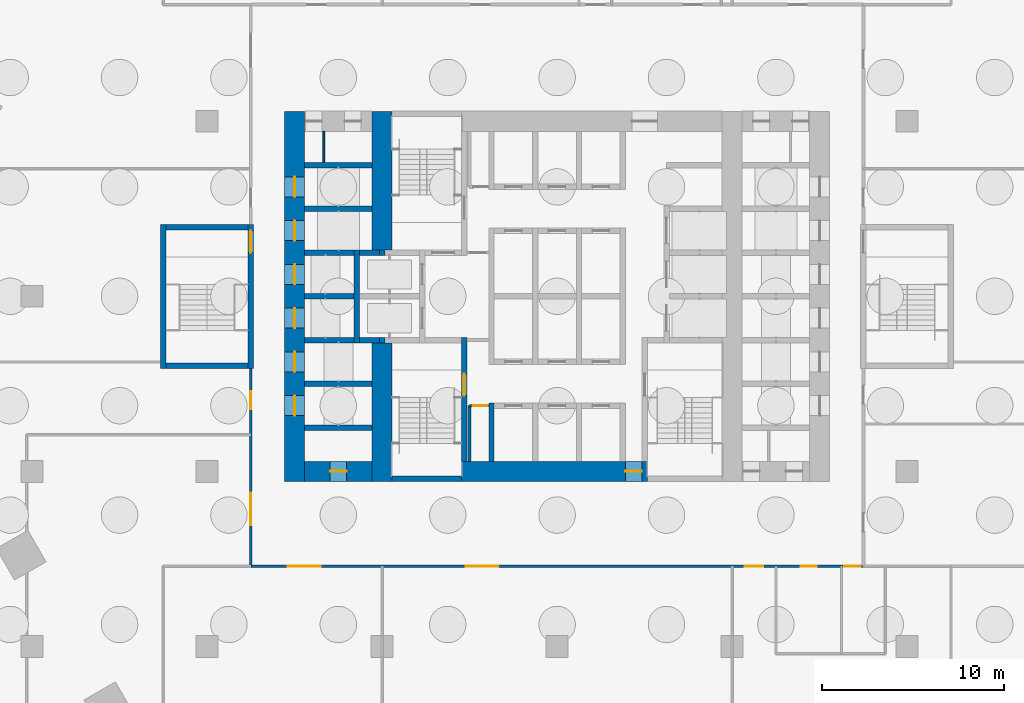
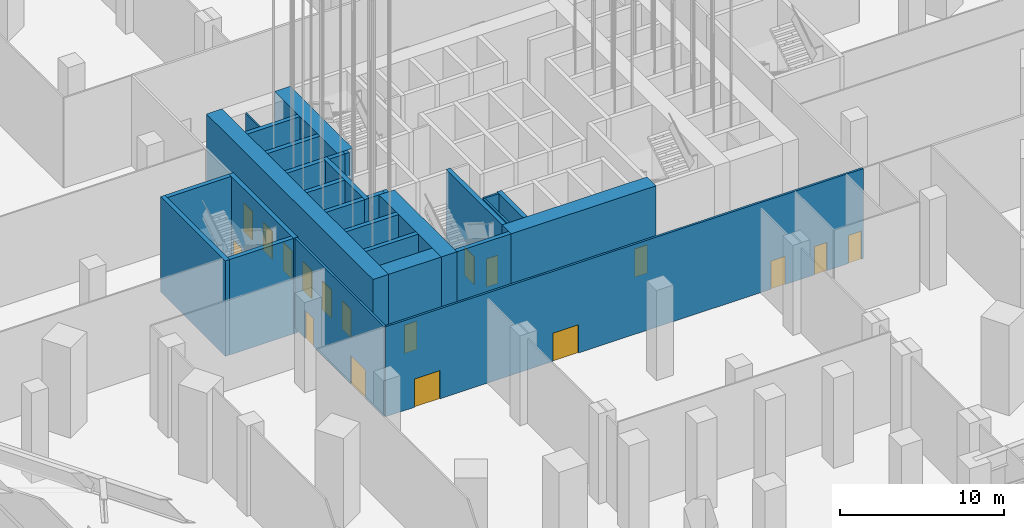
# One storey, part 14 of 68: 29 walls, 18 doors, 18 openings.
"""IFC4 building model written with IfcOpenShell, lengths in metres."""

from ifc_helpers import new_model, si_unit, direction, frame, frame_2d, origin, place, context, subcontext, project, spatial, rectangle, extrude, material, layer, layer_set, type_object, element, fill, save


model = new_model("IFC4")

# Units and contexts
model_context = context("Model", 3, precision=1e-05, world=origin(), true_north=direction((0.0, 1.0)))
body_context = subcontext(model_context, "Body", "Model", "MODEL_VIEW")
ifc_project = project(units=[si_unit("LENGTHUNIT", "METRE"), si_unit("AREAUNIT", "SQUARE_METRE"), si_unit("VOLUMEUNIT", "CUBIC_METRE"), si_unit("PLANEANGLEUNIT", "RADIAN"), si_unit("MASSUNIT", "GRAM", prefix="KILO")], contexts=[model_context])

# Site, building, storey
site_placement = place(None, origin())
site = spatial("IfcSite", under=ifc_project, at=site_placement, CompositionType="ELEMENT")
building_placement = place(site_placement, origin())
building = spatial("IfcBuilding", under=site, at=building_placement, Name="Kolab Exchange Tower", CompositionType="ELEMENT")
storey_placement = place(building_placement, origin())
storey = spatial("IfcBuildingStorey", under=building, at=storey_placement, Name="L00", CompositionType="ELEMENT", Elevation=0.0)

# Wall, opening, door
ifc_material_1 = material(Name="Concrete C80/95", Category="concrete")
ifc_layer_1 = layer(ifc_material_1, 1.10009765625)
ifc_layer_set_1 = layer_set([ifc_layer_1], Name="Concrete C80/95")
wall_type_1 = type_object("IfcWallType", Name="CORE WALL 1100 C80/95", PredefinedType="SHEAR", material=ifc_layer_set_1)
wall_1_placement = place(storey_placement, frame((-13.85009765625, -9.60009765625, -0.39990234375), z_axis=(0.0, 0.0, 1.0), x_axis=(1.0, 0.0, 0.0)))
wall_1 = element("IfcWall", 1, at=wall_1_placement, inside=storey, type_object=wall_type_1, Name="wall/L00/core/002", PredefinedType="SHEAR", context=body_context, shape_type="SweptSolid", body=[
    extrude(rectangle(XDim=3.7001953125, YDim=1.10009765625, at=frame_2d((1.85009765625, 0.0))), origin(), (0.0, 0.0, 1.0), 7.099853515625),
])
opening_1_placement = place(wall_1_placement, frame((1.39990234375, 0.0, 0.39990234375)))
opening_1 = element("IfcOpeningElement", 2, at=opening_1_placement, cuts=wall_1, Name="Opening D6-019", PredefinedType="OPENING", context=body_context, shape_type="SweptSolid", body=[
    extrude(rectangle(XDim=0.89990234375, YDim=2.10009765625, at=frame_2d((0.449951171875, 1.050048828125))), frame((0.0, 0.56005859375, 0.0), z_axis=(0.0, -1.0, 0.0), x_axis=(1.0, 0.0, 0.0)), (0.0, 0.0, 1.0), 1.1201171875),
])
ifc_material_2 = material(Name="Steel S235", Category="steel")
door_type_1 = type_object("IfcDoorType", Name="CORE DOOR 900 EI 120", OperationType="SINGLE_SWING_LEFT", PredefinedType="DOOR", material=ifc_material_2)
door_1_placement = place(opening_1_placement, origin())
door_1 = element("IfcDoor", 3, at=door_1_placement, inside=storey, type_object=door_type_1, Name="Service room door", OperationType="SINGLE_SWING_LEFT", OverallHeight=2.10009765625, OverallWidth=0.89990234375, PredefinedType="DOOR", context=body_context, shape_type="SweptSolid", body=[
    extrude(rectangle(XDim=0.89990234375, YDim=2.10009765625, at=frame_2d((0.449951171875, 1.050048828125))), frame((0.0, 0.02490234375, 0.0), z_axis=(0.0, -1.0, 0.0), x_axis=(1.0, 0.0, 0.0)), (0.0, 0.0, 1.0), 0.050048828125),
])
fill(opening_1, door_1)

wall_2_placement = place(storey_placement, frame((-5.25, -9.60009765625, -0.39990234375), z_axis=(0.0, 0.0, 1.0), x_axis=(1.0, 0.0, 0.0)))
wall_2 = element("IfcWall", 4, at=wall_2_placement, inside=storey, type_object=wall_type_1, Name="wall/L00/core/003", PredefinedType="SHEAR", context=body_context, shape_type="SweptSolid", body=[
    extrude(rectangle(XDim=10.199951171875, YDim=1.10009765625, at=frame_2d((5.10009765625, 0.0))), origin(), (0.0, 0.0, 1.0), 7.099853515625),
])
opening_2_placement = place(wall_2_placement, frame((9.0, 0.0, 0.39990234375)))
opening_2 = element("IfcOpeningElement", 5, at=opening_2_placement, cuts=wall_2, Name="Opening D6-013", PredefinedType="OPENING", context=body_context, shape_type="SweptSolid", body=[
    extrude(rectangle(XDim=0.89990234375, YDim=2.10009765625, at=frame_2d((0.449951171875, 1.050048828125))), frame((0.0, 0.56005859375, 0.0), z_axis=(0.0, -1.0, 0.0), x_axis=(1.0, 0.0, 0.0)), (0.0, 0.0, 1.0), 1.1201171875),
])
door_2_placement = place(opening_2_placement, origin())
door_2 = element("IfcDoor", 6, at=door_2_placement, inside=storey, type_object=door_type_1, Name="Core lobby door", OperationType="SINGLE_SWING_LEFT", OverallHeight=2.10009765625, OverallWidth=0.89990234375, PredefinedType="DOOR", context=body_context, shape_type="SweptSolid", body=[
    extrude(rectangle(XDim=0.89990234375, YDim=2.10009765625, at=frame_2d((0.449951171875, 1.050048828125))), frame((0.0, 0.02490234375, 0.0), z_axis=(0.0, -1.0, 0.0), x_axis=(1.0, 0.0, 0.0)), (0.0, 0.0, 1.0), 0.050048828125),
])
fill(opening_2, door_2)

# Wall, openings, doors
wall_3_placement = place(storey_placement, frame((-14.39990234375, -10.14990234375, -0.39990234375), z_axis=(0.0, 0.0, 1.0), x_axis=(0.0, 1.0, 0.0)))
wall_3 = element("IfcWall", 7, at=wall_3_placement, inside=storey, type_object=wall_type_1, Name="wall/L00/core/057", PredefinedType="SHEAR", context=body_context, shape_type="SweptSolid", body=[
    extrude(rectangle(XDim=20.2998046875, YDim=1.10009765625, at=frame_2d((10.14990234375, 0.0))), origin(), (0.0, 0.0, 1.0), 7.099853515625),
])
opening_3_placement = place(wall_3_placement, frame((3.60009765625, 0.0, 0.39990234375)))
opening_3 = element("IfcOpeningElement", 8, at=opening_3_placement, cuts=wall_3, Name="Opening LD1-005", PredefinedType="OPENING", context=body_context, shape_type="SweptSolid", body=[
    extrude(rectangle(XDim=1.10009765625, YDim=2.10009765625, at=frame_2d((0.550048828125, 1.050048828125))), frame((0.0, 0.56005859375, 0.0), z_axis=(0.0, -1.0, 0.0), x_axis=(1.0, 0.0, 0.0)), (0.0, 0.0, 1.0), 1.1201171875),
])
opening_4_placement = place(wall_3_placement, frame((6.0, 0.0, 0.39990234375)))
opening_4 = element("IfcOpeningElement", 9, at=opening_4_placement, cuts=wall_3, Name="Opening LD1-006", PredefinedType="OPENING", context=body_context, shape_type="SweptSolid", body=[
    extrude(rectangle(XDim=1.10009765625, YDim=2.10009765625, at=frame_2d((0.550048828125, 1.050048828125))), frame((0.0, 0.56005859375, 0.0), z_axis=(0.0, -1.0, 0.0), x_axis=(1.0, 0.0, 0.0)), (0.0, 0.0, 1.0), 1.1201171875),
])
opening_5_placement = place(wall_3_placement, frame((8.39990234375, 0.0, 0.39990234375)))
opening_5 = element("IfcOpeningElement", 10, at=opening_5_placement, cuts=wall_3, Name="Opening LD1-007", PredefinedType="OPENING", context=body_context, shape_type="SweptSolid", body=[
    extrude(rectangle(XDim=1.10009765625, YDim=2.10009765625, at=frame_2d((0.550048828125, 1.050048828125))), frame((0.0, 0.56005859375, 0.0), z_axis=(0.0, -1.0, 0.0), x_axis=(1.0, 0.0, 0.0)), (0.0, 0.0, 1.0), 1.1201171875),
])
opening_6_placement = place(wall_3_placement, frame((10.800048828125, 0.0, 0.39990234375)))
opening_6 = element("IfcOpeningElement", 11, at=opening_6_placement, cuts=wall_3, Name="Opening LD1-008", PredefinedType="OPENING", context=body_context, shape_type="SweptSolid", body=[
    extrude(rectangle(XDim=1.10009765625, YDim=2.10009765625, at=frame_2d((0.550048828125, 1.050048828125))), frame((0.0, 0.56005859375, 0.0), z_axis=(0.0, -1.0, 0.0), x_axis=(1.0, 0.0, 0.0)), (0.0, 0.0, 1.0), 1.1201171875),
])
opening_7_placement = place(wall_3_placement, frame((13.199951171875, 0.0, 0.39990234375)))
opening_7 = element("IfcOpeningElement", 12, at=opening_7_placement, cuts=wall_3, Name="Opening LD1-011", PredefinedType="OPENING", context=body_context, shape_type="SweptSolid", body=[
    extrude(rectangle(XDim=1.10009765625, YDim=2.10009765625, at=frame_2d((0.550048828125, 1.050048828125))), frame((0.0, 0.56005859375, 0.0), z_axis=(0.0, -1.0, 0.0), x_axis=(1.0, 0.0, 0.0)), (0.0, 0.0, 1.0), 1.1201171875),
])
opening_8_placement = place(wall_3_placement, frame((15.60009765625, 0.0, 0.39990234375)))
opening_8 = element("IfcOpeningElement", 13, at=opening_8_placement, cuts=wall_3, Name="Opening LD1-012", PredefinedType="OPENING", context=body_context, shape_type="SweptSolid", body=[
    extrude(rectangle(XDim=1.10009765625, YDim=2.10009765625, at=frame_2d((0.550048828125, 1.050048828125))), frame((0.0, 0.56005859375, 0.0), z_axis=(0.0, -1.0, 0.0), x_axis=(1.0, 0.0, 0.0)), (0.0, 0.0, 1.0), 1.1201171875),
])
ifc_material_3 = material(Name="Stainless steel 316", Category="steel")
door_type_2 = type_object("IfcDoorType", Name="LANDING DOOR 1100 PASSENGER", OperationType="DOUBLE_DOOR_SLIDING", PredefinedType="DOOR", material=ifc_material_3)
door_3_placement = place(opening_3_placement, origin())
door_3 = element("IfcDoor", 14, at=door_3_placement, inside=storey, type_object=door_type_2, Name="Landing door LR5", OperationType="DOUBLE_DOOR_SLIDING", OverallHeight=2.10009765625, OverallWidth=1.10009765625, PredefinedType="DOOR", context=body_context, shape_type="SweptSolid", body=[
    extrude(rectangle(XDim=1.10009765625, YDim=2.10009765625, at=frame_2d((0.550048828125, 1.050048828125))), frame((0.0, 0.02490234375, 0.0), z_axis=(0.0, -1.0, 0.0), x_axis=(1.0, 0.0, 0.0)), (0.0, 0.0, 1.0), 0.050048828125),
])
fill(opening_3, door_3)
door_4_placement = place(opening_4_placement, origin())
door_4 = element("IfcDoor", 15, at=door_4_placement, inside=storey, type_object=door_type_2, Name="Landing door LR6", OperationType="DOUBLE_DOOR_SLIDING", OverallHeight=2.10009765625, OverallWidth=1.10009765625, PredefinedType="DOOR", context=body_context, shape_type="SweptSolid", body=[
    extrude(rectangle(XDim=1.10009765625, YDim=2.10009765625, at=frame_2d((0.550048828125, 1.050048828125))), frame((0.0, 0.02490234375, 0.0), z_axis=(0.0, -1.0, 0.0), x_axis=(1.0, 0.0, 0.0)), (0.0, 0.0, 1.0), 0.050048828125),
])
fill(opening_4, door_4)
door_5_placement = place(opening_5_placement, origin())
door_5 = element("IfcDoor", 16, at=door_5_placement, inside=storey, type_object=door_type_2, Name="Landing door LR7", OperationType="DOUBLE_DOOR_SLIDING", OverallHeight=2.10009765625, OverallWidth=1.10009765625, PredefinedType="DOOR", context=body_context, shape_type="SweptSolid", body=[
    extrude(rectangle(XDim=1.10009765625, YDim=2.10009765625, at=frame_2d((0.550048828125, 1.050048828125))), frame((0.0, 0.02490234375, 0.0), z_axis=(0.0, -1.0, 0.0), x_axis=(1.0, 0.0, 0.0)), (0.0, 0.0, 1.0), 0.050048828125),
])
fill(opening_5, door_5)
door_6_placement = place(opening_6_placement, origin())
door_6 = element("IfcDoor", 17, at=door_6_placement, inside=storey, type_object=door_type_2, Name="Landing door LR8", OperationType="DOUBLE_DOOR_SLIDING", OverallHeight=2.10009765625, OverallWidth=1.10009765625, PredefinedType="DOOR", context=body_context, shape_type="SweptSolid", body=[
    extrude(rectangle(XDim=1.10009765625, YDim=2.10009765625, at=frame_2d((0.550048828125, 1.050048828125))), frame((0.0, 0.02490234375, 0.0), z_axis=(0.0, -1.0, 0.0), x_axis=(1.0, 0.0, 0.0)), (0.0, 0.0, 1.0), 0.050048828125),
])
fill(opening_6, door_6)
door_7_placement = place(opening_7_placement, origin())
door_7 = element("IfcDoor", 18, at=door_7_placement, inside=storey, type_object=door_type_2, Name="Landing door SH3", OperationType="DOUBLE_DOOR_SLIDING", OverallHeight=2.10009765625, OverallWidth=1.10009765625, PredefinedType="DOOR", context=body_context, shape_type="SweptSolid", body=[
    extrude(rectangle(XDim=1.10009765625, YDim=2.10009765625, at=frame_2d((0.550048828125, 1.050048828125))), frame((0.0, 0.02490234375, 0.0), z_axis=(0.0, -1.0, 0.0), x_axis=(1.0, 0.0, 0.0)), (0.0, 0.0, 1.0), 0.050048828125),
])
fill(opening_7, door_7)
door_8_placement = place(opening_8_placement, origin())
door_8 = element("IfcDoor", 19, at=door_8_placement, inside=storey, type_object=door_type_2, Name="Landing door SH4", OperationType="DOUBLE_DOOR_SLIDING", OverallHeight=2.10009765625, OverallWidth=1.10009765625, PredefinedType="DOOR", context=body_context, shape_type="SweptSolid", body=[
    extrude(rectangle(XDim=1.10009765625, YDim=2.10009765625, at=frame_2d((0.550048828125, 1.050048828125))), frame((0.0, 0.02490234375, 0.0), z_axis=(0.0, -1.0, 0.0), x_axis=(1.0, 0.0, 0.0)), (0.0, 0.0, 1.0), 0.050048828125),
])
fill(opening_8, door_8)

# Walls
for number, where, z_axis, x_axis, name in (
    (20, (-9.60009765625, -10.14990234375, -0.39990234375), (0.0, 0.0, 1.0), (0.0, 1.0, 0.0), "wall/L00/core/059"),
    (21, (-9.60009765625, 2.550048828125, -0.39990234375), (0.0, 0.0, 1.0), (0.0, 1.0, 0.0), "wall/L00/core/062"),
):
    element("IfcWall", number, at=place(storey_placement, frame(where, z_axis=z_axis, x_axis=x_axis)), inside=storey, type_object=wall_type_1, Name=name, PredefinedType="SHEAR", context=body_context, shape_type="SweptSolid", body=[
        extrude(rectangle(XDim=7.599853515625, YDim=1.10009765625, at=frame_2d((3.7998046875, 0.0))), origin(), (0.0, 0.0, 1.0), 7.099853515625),
    ])
ifc_material_4 = material(Name="Concrete C50/60", Category="concrete")
ifc_layer_2 = layer(ifc_material_4, 0.300048828125)
ifc_layer_set_2 = layer_set([ifc_layer_2], Name="Concrete C50/60")
wall_type_2 = type_object("IfcWallType", Name="LIFT SHAFT WALL 300 C50/60", PredefinedType="STANDARD", material=ifc_layer_set_2)
for number, where, z_axis, x_axis, name in (
    (22, (-13.85009765625, -7.199951171875, -0.39990234375), (0.0, 0.0, 1.0), (1.0, 0.0, 0.0), "wall/L00/core/005"),
    (23, (-13.85009765625, -4.800048828125, -0.39990234375), (0.0, 0.0, 1.0), (1.0, 0.0, 0.0), "wall/L00/core/010"),
):
    element("IfcWall", number, at=place(storey_placement, frame(where, z_axis=z_axis, x_axis=x_axis)), inside=storey, type_object=wall_type_2, Name=name, PredefinedType="STANDARD", context=body_context, shape_type="SweptSolid", body=[
        extrude(rectangle(XDim=3.7001953125, YDim=0.300048828125, at=frame_2d((1.85009765625, 0.0))), origin(), (0.0, 0.0, 1.0), 7.099853515625),
    ])
wall_4_placement = place(storey_placement, frame((-13.85009765625, -2.39990234375, -0.39990234375), z_axis=(0.0, 0.0, 1.0), x_axis=(1.0, 0.0, 0.0)))
element("IfcWall", 24, at=wall_4_placement, inside=storey, type_object=wall_type_2, Name="wall/L00/core/017", PredefinedType="STANDARD", context=body_context, shape_type="SweptSolid", body=[
    extrude(rectangle(XDim=2.7001953125, YDim=0.300048828125, at=frame_2d((1.35009765625, 0.0))), origin(), (0.0, 0.0, 1.0), 7.099853515625),
])
wall_5_placement = place(storey_placement, frame((-10.85009765625, -2.39990234375, -0.39990234375), z_axis=(0.0, 0.0, 1.0), x_axis=(1.0, 0.0, 0.0)))
element("IfcWall", 25, at=wall_5_placement, inside=storey, type_object=wall_type_2, Name="wall/L00/core/018", PredefinedType="STANDARD", context=body_context, shape_type="SweptSolid", body=[
    extrude(rectangle(XDim=1.10009765625, YDim=0.300048828125, at=frame_2d((0.550048828125, 0.0))), origin(), (0.0, 0.0, 1.0), 7.099853515625),
])
for number, where, z_axis, x_axis, name in (
    (26, (-13.85009765625, 0.0, -0.39990234375), (0.0, 0.0, 1.0), (1.0, 0.0, 0.0), "wall/L00/core/024"),
    (27, (-13.85009765625, 2.39990234375, -0.39990234375), (0.0, 0.0, 1.0), (1.0, 0.0, 0.0), "wall/L00/core/031"),
):
    element("IfcWall", number, at=place(storey_placement, frame(where, z_axis=z_axis, x_axis=x_axis)), inside=storey, type_object=wall_type_2, Name=name, PredefinedType="STANDARD", context=body_context, shape_type="SweptSolid", body=[
        extrude(rectangle(XDim=2.7001953125, YDim=0.300048828125, at=frame_2d((1.35009765625, 0.0))), origin(), (0.0, 0.0, 1.0), 7.099853515625),
    ])
wall_6_placement = place(storey_placement, frame((-10.85009765625, 2.39990234375, -0.39990234375), z_axis=(0.0, 0.0, 1.0), x_axis=(1.0, 0.0, 0.0)))
element("IfcWall", 28, at=wall_6_placement, inside=storey, type_object=wall_type_2, Name="wall/L00/core/032", PredefinedType="STANDARD", context=body_context, shape_type="SweptSolid", body=[
    extrude(rectangle(XDim=1.10009765625, YDim=0.300048828125, at=frame_2d((0.550048828125, 0.0))), origin(), (0.0, 0.0, 1.0), 7.099853515625),
])
for number, where, z_axis, x_axis, name in (
    (29, (-13.85009765625, 4.800048828125, -0.39990234375), (0.0, 0.0, 1.0), (1.0, 0.0, 0.0), "wall/L00/core/042"),
    (30, (-13.85009765625, 7.199951171875, -0.39990234375), (0.0, 0.0, 1.0), (1.0, 0.0, 0.0), "wall/L00/core/048"),
):
    element("IfcWall", number, at=place(storey_placement, frame(where, z_axis=z_axis, x_axis=x_axis)), inside=storey, type_object=wall_type_2, Name=name, PredefinedType="STANDARD", context=body_context, shape_type="SweptSolid", body=[
        extrude(rectangle(XDim=3.7001953125, YDim=0.300048828125, at=frame_2d((1.85009765625, 0.0))), origin(), (0.0, 0.0, 1.0), 7.099853515625),
    ])
wall_7_placement = place(storey_placement, frame((-11.0, -2.550048828125, -0.39990234375), z_axis=(0.0, 0.0, 1.0), x_axis=(0.0, 1.0, 0.0)))
element("IfcWall", 31, at=wall_7_placement, inside=storey, type_object=wall_type_2, Name="wall/L00/core/058", PredefinedType="STANDARD", context=body_context, shape_type="SweptSolid", body=[
    extrude(rectangle(XDim=5.10009765625, YDim=0.300048828125, at=frame_2d((2.550048828125, 0.0))), origin(), (0.0, 0.0, 1.0), 7.099853515625),
])
wall_8_placement = place(storey_placement, frame((-3.60009765625, -9.050048828125, -0.39990234375), z_axis=(0.0, 0.0, 1.0), x_axis=(0.0, 1.0, 0.0)))
element("IfcWall", 32, at=wall_8_placement, inside=storey, type_object=wall_type_2, Name="wall/L00/core/066", PredefinedType="STANDARD", context=body_context, shape_type="SweptSolid", body=[
    extrude(rectangle(XDim=3.199951171875, YDim=0.300048828125, at=frame_2d((1.60009765625, 0.0))), origin(), (0.0, 0.0, 1.0), 7.099853515625),
])
ifc_material_5 = material(Name="Gypsum board", Category="gypsum")
ifc_layer_3 = layer(ifc_material_5, 0.10009765625)
ifc_layer_set_3 = layer_set([ifc_layer_3], Name="Gypsum board")
wall_type_3 = type_object("IfcWallType", Name="PARTITION 100", PredefinedType="PARTITIONING", material=ifc_layer_set_3)
wall_9_placement = place(storey_placement, frame((-12.800048828125, 7.35009765625, 0.0), z_axis=(0.0, 0.0, 1.0), x_axis=(0.0, 1.0, 0.0)))
element("IfcWall", 33, at=wall_9_placement, inside=storey, type_object=wall_type_3, Name="Partition 019", PredefinedType="PARTITIONING", context=body_context, shape_type="SweptSolid", body=[
    extrude(rectangle(XDim=1.699951171875, YDim=0.10009765625, at=frame_2d((0.85009765625, 0.0))), origin(), (0.0, 0.0, 1.0), 6.699951171875),
])
ifc_layer_4 = layer(ifc_material_5, 0.14990234375)
ifc_layer_set_4 = layer_set([ifc_layer_4], Name="Gypsum board")
wall_type_4 = type_object("IfcWallType", Name="PARTITION 150 FIRE-RATED", PredefinedType="PARTITIONING", material=ifc_layer_set_4)
wall_10_placement = place(storey_placement, frame((-4.800048828125, -9.050048828125, 0.0), z_axis=(0.0, 0.0, 1.0), x_axis=(0.0, 1.0, 0.0)))
element("IfcWall", 34, at=wall_10_placement, inside=storey, type_object=wall_type_4, Name="Partition 015", PredefinedType="PARTITIONING", context=body_context, shape_type="SweptSolid", body=[
    extrude(rectangle(XDim=3.050048828125, YDim=0.14990234375, at=frame_2d((1.52490234375, 0.0))), origin(), (0.0, 0.0, 1.0), 6.699951171875),
])

# Wall, openings, doors
wall_11_placement = place(storey_placement, frame((-16.800048828125, -14.800048828125, 0.0), z_axis=(0.0, 0.0, 1.0), x_axis=(0.0, 1.0, 0.0)))
wall_11 = element("IfcWall", 35, at=wall_11_placement, inside=storey, type_object=wall_type_4, Name="Partition 020", PredefinedType="PARTITIONING", context=body_context, shape_type="SweptSolid", body=[
    extrude(rectangle(XDim=10.85009765625, YDim=0.14990234375, at=frame_2d((5.425048828125, 0.0))), origin(), (0.0, 0.0, 1.0), 6.699951171875),
])
opening_9_placement = place(wall_11_placement, frame((2.235107421875, 0.0, 0.0)))
opening_9 = element("IfcOpeningElement", 36, at=opening_9_placement, cuts=wall_11, Name="Opening D2-003", PredefinedType="OPENING", context=body_context, shape_type="SweptSolid", body=[
    extrude(rectangle(XDim=1.800048828125, YDim=2.10009765625, at=frame_2d((0.89990234375, 1.050048828125))), frame((0.0, 0.0849609375, 0.0), z_axis=(0.0, -1.0, 0.0), x_axis=(1.0, 0.0, 0.0)), (0.0, 0.0, 1.0), 0.169921875),
])
opening_10_placement = place(wall_11_placement, frame((8.60009765625, 0.0, 0.0)))
opening_10 = element("IfcOpeningElement", 37, at=opening_10_placement, cuts=wall_11, Name="Opening D1-009", PredefinedType="OPENING", context=body_context, shape_type="SweptSolid", body=[
    extrude(rectangle(XDim=1.0, YDim=2.10009765625, at=frame_2d((0.5, 1.050048828125))), frame((0.0, 0.0849609375, 0.0), z_axis=(0.0, -1.0, 0.0), x_axis=(1.0, 0.0, 0.0)), (0.0, 0.0, 1.0), 0.169921875),
])
door_type_3 = type_object("IfcDoorType", Name="DOUBLE DOOR 1800 FD60", OperationType="DOUBLE_DOOR_SINGLE_SWING", PredefinedType="DOOR", material=ifc_material_2)
door_9_placement = place(opening_9_placement, origin())
door_9 = element("IfcDoor", 38, at=door_9_placement, inside=storey, type_object=door_type_3, Name="Door L00-060", OperationType="SINGLE_SWING_LEFT", OverallHeight=2.10009765625, OverallWidth=1.800048828125, PredefinedType="DOOR", context=body_context, shape_type="SweptSolid", body=[
    extrude(rectangle(XDim=1.800048828125, YDim=2.10009765625, at=frame_2d((0.89990234375, 1.050048828125))), frame((0.0, 0.02490234375, 0.0), z_axis=(0.0, -1.0, 0.0), x_axis=(1.0, 0.0, 0.0)), (0.0, 0.0, 1.0), 0.050048828125),
])
fill(opening_9, door_9)
door_type_4 = type_object("IfcDoorType", Name="FLUSH DOOR 1000 FD60", OperationType="SINGLE_SWING_LEFT", PredefinedType="DOOR", material=ifc_material_2)
door_10_placement = place(opening_10_placement, origin())
door_10 = element("IfcDoor", 39, at=door_10_placement, inside=storey, type_object=door_type_4, Name="Door L00-061", OperationType="SINGLE_SWING_LEFT", OverallHeight=2.10009765625, OverallWidth=1.0, PredefinedType="DOOR", context=body_context, shape_type="SweptSolid", body=[
    extrude(rectangle(XDim=1.0, YDim=2.10009765625, at=frame_2d((0.5, 1.050048828125))), frame((0.0, 0.02490234375, 0.0), z_axis=(0.0, -1.0, 0.0), x_axis=(1.0, 0.0, 0.0)), (0.0, 0.0, 1.0), 0.050048828125),
])
fill(opening_10, door_10)

wall_12_placement = place(storey_placement, frame((-16.800048828125, -14.800048828125, 0.0), z_axis=(0.0, 0.0, 1.0), x_axis=(1.0, 0.0, 0.0)))
wall_12 = element("IfcWall", 40, at=wall_12_placement, inside=storey, type_object=wall_type_4, Name="Partition 029", PredefinedType="PARTITIONING", context=body_context, shape_type="SweptSolid", body=[
    extrude(rectangle(XDim=33.60009765625, YDim=0.14990234375, at=frame_2d((16.800048828125, 0.0))), origin(), (0.0, 0.0, 1.0), 6.699951171875),
])
opening_11_placement = place(wall_12_placement, frame((30.14990234375, 0.0, 0.0)))
opening_11 = element("IfcOpeningElement", 41, at=opening_11_placement, cuts=wall_12, Name="Opening D3-001", PredefinedType="OPENING", context=body_context, shape_type="SweptSolid", body=[
    extrude(rectangle(XDim=0.89990234375, YDim=2.10009765625, at=frame_2d((0.449951171875, 1.050048828125))), frame((0.0, 0.0849609375, 0.0), z_axis=(0.0, -1.0, 0.0), x_axis=(1.0, 0.0, 0.0)), (0.0, 0.0, 1.0), 0.169921875),
])
opening_12_placement = place(wall_12_placement, frame((32.550048828125, 0.0, 0.0)))
opening_12 = element("IfcOpeningElement", 42, at=opening_12_placement, cuts=wall_12, Name="Opening D3-002", PredefinedType="OPENING", context=body_context, shape_type="SweptSolid", body=[
    extrude(rectangle(XDim=0.89990234375, YDim=2.10009765625, at=frame_2d((0.449951171875, 1.050048828125))), frame((0.0, 0.0849609375, 0.0), z_axis=(0.0, -1.0, 0.0), x_axis=(1.0, 0.0, 0.0)), (0.0, 0.0, 1.0), 0.169921875),
])
opening_13_placement = place(wall_12_placement, frame((2.02490234375, 0.0, 0.0)))
opening_13 = element("IfcOpeningElement", 43, at=opening_13_placement, cuts=wall_12, Name="Opening D2-001", PredefinedType="OPENING", context=body_context, shape_type="SweptSolid", body=[
    extrude(rectangle(XDim=1.800048828125, YDim=2.10009765625, at=frame_2d((0.89990234375, 1.050048828125))), frame((0.0, 0.0849609375, 0.0), z_axis=(0.0, -1.0, 0.0), x_axis=(1.0, 0.0, 0.0)), (0.0, 0.0, 1.0), 0.169921875),
])
opening_14_placement = place(wall_12_placement, frame((11.77490234375, 0.0, 0.0)))
opening_14 = element("IfcOpeningElement", 44, at=opening_14_placement, cuts=wall_12, Name="Opening D2-002", PredefinedType="OPENING", context=body_context, shape_type="SweptSolid", body=[
    extrude(rectangle(XDim=1.800048828125, YDim=2.10009765625, at=frame_2d((0.89990234375, 1.050048828125))), frame((0.0, 0.0849609375, 0.0), z_axis=(0.0, -1.0, 0.0), x_axis=(1.0, 0.0, 0.0)), (0.0, 0.0, 1.0), 0.169921875),
])
opening_15_placement = place(wall_12_placement, frame((27.10009765625, 0.0, 0.0)))
opening_15 = element("IfcOpeningElement", 45, at=opening_15_placement, cuts=wall_12, Name="Opening D1-004", PredefinedType="OPENING", context=body_context, shape_type="SweptSolid", body=[
    extrude(rectangle(XDim=1.0, YDim=2.10009765625, at=frame_2d((0.5, 1.050048828125))), frame((0.0, 0.0849609375, 0.0), z_axis=(0.0, -1.0, 0.0), x_axis=(1.0, 0.0, 0.0)), (0.0, 0.0, 1.0), 0.169921875),
])
door_11_placement = place(opening_13_placement, frame((1.800048828125, 0.0, 0.0), z_axis=(0.0, 0.0, 1.0), x_axis=(-1.0, 0.0, 0.0)))
door_11 = element("IfcDoor", 46, at=door_11_placement, inside=storey, type_object=door_type_3, Name="Door L00-053", OperationType="SINGLE_SWING_RIGHT", OverallHeight=2.10009765625, OverallWidth=1.800048828125, PredefinedType="DOOR", context=body_context, shape_type="SweptSolid", body=[
    extrude(rectangle(XDim=1.800048828125, YDim=2.10009765625, at=frame_2d((0.89990234375, 1.050048828125))), frame((0.0, 0.02490234375, 0.0), z_axis=(0.0, -1.0, 0.0), x_axis=(1.0, 0.0, 0.0)), (0.0, 0.0, 1.0), 0.050048828125),
])
fill(opening_13, door_11)
door_12_placement = place(opening_14_placement, frame((1.800048828125, 0.0, 0.0), z_axis=(0.0, 0.0, 1.0), x_axis=(-1.0, 0.0, 0.0)))
door_12 = element("IfcDoor", 47, at=door_12_placement, inside=storey, type_object=door_type_3, Name="Door L00-054", OperationType="SINGLE_SWING_LEFT", OverallHeight=2.10009765625, OverallWidth=1.800048828125, PredefinedType="DOOR", context=body_context, shape_type="SweptSolid", body=[
    extrude(rectangle(XDim=1.800048828125, YDim=2.10009765625, at=frame_2d((0.89990234375, 1.050048828125))), frame((0.0, 0.02490234375, 0.0), z_axis=(0.0, -1.0, 0.0), x_axis=(1.0, 0.0, 0.0)), (0.0, 0.0, 1.0), 0.050048828125),
])
fill(opening_14, door_12)
door_13_placement = place(opening_15_placement, frame((1.0, 0.0, 0.0), z_axis=(0.0, 0.0, 1.0), x_axis=(-1.0, 0.0, 0.0)))
door_13 = element("IfcDoor", 48, at=door_13_placement, inside=storey, type_object=door_type_4, Name="Door L00-055", OperationType="SINGLE_SWING_RIGHT", OverallHeight=2.10009765625, OverallWidth=1.0, PredefinedType="DOOR", context=body_context, shape_type="SweptSolid", body=[
    extrude(rectangle(XDim=1.0, YDim=2.10009765625, at=frame_2d((0.5, 1.050048828125))), frame((0.0, 0.02490234375, 0.0), z_axis=(0.0, -1.0, 0.0), x_axis=(1.0, 0.0, 0.0)), (0.0, 0.0, 1.0), 0.050048828125),
])
fill(opening_15, door_13)
door_type_5 = type_object("IfcDoorType", Name="FLUSH DOOR 900 FD60", OperationType="SINGLE_SWING_LEFT", PredefinedType="DOOR", material=ifc_material_2)
door_14_placement = place(opening_11_placement, frame((0.89990234375, 0.0, 0.0), z_axis=(0.0, 0.0, 1.0), x_axis=(-1.0, 0.0, 0.0)))
door_14 = element("IfcDoor", 49, at=door_14_placement, inside=storey, type_object=door_type_5, Name="Door L00-051", OperationType="SINGLE_SWING_LEFT", OverallHeight=2.10009765625, OverallWidth=0.89990234375, PredefinedType="DOOR", context=body_context, shape_type="SweptSolid", body=[
    extrude(rectangle(XDim=0.89990234375, YDim=2.10009765625, at=frame_2d((0.449951171875, 1.050048828125))), frame((0.0, 0.02490234375, 0.0), z_axis=(0.0, -1.0, 0.0), x_axis=(1.0, 0.0, 0.0)), (0.0, 0.0, 1.0), 0.050048828125),
])
fill(opening_11, door_14)
door_15_placement = place(opening_12_placement, frame((0.89990234375, 0.0, 0.0), z_axis=(0.0, 0.0, 1.0), x_axis=(-1.0, 0.0, 0.0)))
door_15 = element("IfcDoor", 50, at=door_15_placement, inside=storey, type_object=door_type_5, Name="Door L00-052", OperationType="SINGLE_SWING_LEFT", OverallHeight=2.10009765625, OverallWidth=0.89990234375, PredefinedType="DOOR", context=body_context, shape_type="SweptSolid", body=[
    extrude(rectangle(XDim=0.89990234375, YDim=2.10009765625, at=frame_2d((0.449951171875, 1.050048828125))), frame((0.0, 0.02490234375, 0.0), z_axis=(0.0, -1.0, 0.0), x_axis=(1.0, 0.0, 0.0)), (0.0, 0.0, 1.0), 0.050048828125),
])
fill(opening_12, door_15)

# Wall, opening, door
wall_13_placement = place(storey_placement, frame((-4.800048828125, -6.0, 0.0), z_axis=(0.0, 0.0, 1.0), x_axis=(1.0, 0.0, 0.0)))
wall_13 = element("IfcWall", 51, at=wall_13_placement, inside=storey, type_object=wall_type_4, Name="Partition 032", PredefinedType="PARTITIONING", context=body_context, shape_type="SweptSolid", body=[
    extrude(rectangle(XDim=1.050048828125, YDim=0.14990234375, at=frame_2d((0.52490234375, 0.0))), origin(), (0.0, 0.0, 1.0), 6.699951171875),
])
opening_16_placement = place(wall_13_placement, frame((0.199951171875, 0.0, 0.0)))
opening_16 = element("IfcOpeningElement", 52, at=opening_16_placement, cuts=wall_13, Name="Opening D7-002", PredefinedType="OPENING", context=body_context, shape_type="SweptSolid", body=[
    extrude(rectangle(XDim=0.800048828125, YDim=2.10009765625, at=frame_2d((0.39990234375, 1.050048828125))), frame((0.0, 0.0849609375, 0.0), z_axis=(0.0, -1.0, 0.0), x_axis=(1.0, 0.0, 0.0)), (0.0, 0.0, 1.0), 0.169921875),
])
door_type_6 = type_object("IfcDoorType", Name="FLUSH DOOR 800 FD60", OperationType="SINGLE_SWING_LEFT", PredefinedType="DOOR", material=ifc_material_2)
door_16_placement = place(opening_16_placement, frame((0.800048828125, 0.0, 0.0), z_axis=(0.0, 0.0, 1.0), x_axis=(-1.0, 0.0, 0.0)))
door_16 = element("IfcDoor", 53, at=door_16_placement, inside=storey, type_object=door_type_6, Name="Door L00-041", OperationType="SINGLE_SWING_RIGHT", OverallHeight=2.10009765625, OverallWidth=0.800048828125, PredefinedType="DOOR", context=body_context, shape_type="SweptSolid", body=[
    extrude(rectangle(XDim=0.800048828125, YDim=2.10009765625, at=frame_2d((0.39990234375, 1.050048828125))), frame((0.0, 0.02490234375, 0.0), z_axis=(0.0, -1.0, 0.0), x_axis=(1.0, 0.0, 0.0)), (0.0, 0.0, 1.0), 0.050048828125),
])
fill(opening_16, door_16)

# Walls
ifc_layer_5 = layer(ifc_material_4, 0.300048828125)
ifc_layer_set_5 = layer_set([ifc_layer_5], Name="Concrete C50/60")
wall_type_5 = type_object("IfcWallType", Name="STAIR ENCLOSURE WALL 300 C50/60", PredefinedType="STANDARD", material=ifc_layer_set_5)
wall_14_placement = place(storey_placement, frame((-9.050048828125, -10.0, -0.39990234375), z_axis=(0.0, 0.0, 1.0), x_axis=(1.0, 0.0, 0.0)))
element("IfcWall", 54, at=wall_14_placement, inside=storey, type_object=wall_type_5, Name="wall/L00/core/000", PredefinedType="STANDARD", context=body_context, shape_type="SweptSolid", body=[
    extrude(rectangle(XDim=3.800048828125, YDim=0.300048828125, at=frame_2d((1.89990234375, 0.0))), origin(), (0.0, 0.0, 1.0), 7.099853515625),
])
for number, where, z_axis, x_axis, name in (
    (55, (-21.449951171875, -3.800048828125, -0.39990234375), (0.0, 0.0, 1.0), (1.0, 0.0, 0.0), "wall/L00/core/012"),
    (56, (-21.449951171875, 3.800048828125, -0.39990234375), (0.0, 0.0, 1.0), (1.0, 0.0, 0.0), "wall/L00/core/040"),
):
    element("IfcWall", number, at=place(storey_placement, frame(where, z_axis=z_axis, x_axis=x_axis)), inside=storey, type_object=wall_type_5, Name=name, PredefinedType="STANDARD", context=body_context, shape_type="SweptSolid", body=[
        extrude(rectangle(XDim=4.5, YDim=0.300048828125, at=frame_2d((2.25, 0.0))), origin(), (0.0, 0.0, 1.0), 7.099853515625),
    ])
wall_15_placement = place(storey_placement, frame((-21.60009765625, -3.949951171875, -0.39990234375), z_axis=(0.0, 0.0, 1.0), x_axis=(0.0, 1.0, 0.0)))
element("IfcWall", 57, at=wall_15_placement, inside=storey, type_object=wall_type_5, Name="wall/L00/core/055", PredefinedType="STANDARD", context=body_context, shape_type="SweptSolid", body=[
    extrude(rectangle(XDim=7.89990234375, YDim=0.300048828125, at=frame_2d((3.949951171875, 0.0))), origin(), (0.0, 0.0, 1.0), 7.099853515625),
])

# Wall, opening, door
wall_16_placement = place(storey_placement, frame((-16.800048828125, -3.949951171875, -0.39990234375), z_axis=(0.0, 0.0, 1.0), x_axis=(0.0, 1.0, 0.0)))
wall_16 = element("IfcWall", 58, at=wall_16_placement, inside=storey, type_object=wall_type_5, Name="wall/L00/core/056", PredefinedType="STANDARD", context=body_context, shape_type="SweptSolid", body=[
    extrude(rectangle(XDim=7.89990234375, YDim=0.300048828125, at=frame_2d((3.949951171875, 0.0))), origin(), (0.0, 0.0, 1.0), 7.099853515625),
])
opening_17_placement = place(wall_16_placement, frame((6.35009765625, 0.0, 0.39990234375)))
opening_17 = element("IfcOpeningElement", 59, at=opening_17_placement, cuts=wall_16, Name="Opening D4-006", PredefinedType="OPENING", context=body_context, shape_type="SweptSolid", body=[
    extrude(rectangle(XDim=1.199951171875, YDim=2.10009765625, at=frame_2d((0.60009765625, 1.050048828125))), frame((0.0, 0.16015625, 0.0), z_axis=(0.0, -1.0, 0.0), x_axis=(1.0, 0.0, 0.0)), (0.0, 0.0, 1.0), 0.320068359375),
])
door_type_7 = type_object("IfcDoorType", Name="STAIR DOOR 1200 EI 120", OperationType="SINGLE_SWING_LEFT", PredefinedType="DOOR", material=ifc_material_2)
door_17_placement = place(opening_17_placement, origin())
door_17 = element("IfcDoor", 60, at=door_17_placement, inside=storey, type_object=door_type_7, Name="Stair 5 door", OperationType="SINGLE_SWING_RIGHT", OverallHeight=2.10009765625, OverallWidth=1.199951171875, PredefinedType="DOOR", context=body_context, shape_type="SweptSolid", body=[
    extrude(rectangle(XDim=1.199951171875, YDim=2.10009765625, at=frame_2d((0.60009765625, 1.050048828125))), frame((0.0, 0.02490234375, 0.0), z_axis=(0.0, -1.0, 0.0), x_axis=(1.0, 0.0, 0.0)), (0.0, 0.0, 1.0), 0.050048828125),
])
fill(opening_17, door_17)

# Walls
for number, where, z_axis, x_axis, name in (
    (61, (-9.60009765625, -2.550048828125, -0.39990234375), (0.0, 0.0, 1.0), (0.0, 1.0, 0.0), "wall/L00/core/060"),
    (62, (-9.60009765625, 2.25, -0.39990234375), (0.0, 0.0, 1.0), (0.0, 1.0, 0.0), "wall/L00/core/061"),
):
    element("IfcWall", number, at=place(storey_placement, frame(where, z_axis=z_axis, x_axis=x_axis)), inside=storey, type_object=wall_type_5, Name=name, PredefinedType="STANDARD", context=body_context, shape_type="SweptSolid", body=[
        extrude(rectangle(XDim=0.300048828125, YDim=0.300048828125, at=frame_2d((0.14990234375, 0.0))), origin(), (0.0, 0.0, 1.0), 7.099853515625),
    ])

# Wall, opening, door
wall_17_placement = place(storey_placement, frame((-5.10009765625, -9.050048828125, -0.39990234375), z_axis=(0.0, 0.0, 1.0), x_axis=(0.0, 1.0, 0.0)))
wall_17 = element("IfcWall", 63, at=wall_17_placement, inside=storey, type_object=wall_type_5, Name="wall/L00/core/064", PredefinedType="STANDARD", context=body_context, shape_type="SweptSolid", body=[
    extrude(rectangle(XDim=6.800048828125, YDim=0.300048828125, at=frame_2d((3.39990234375, 0.0))), origin(), (0.0, 0.0, 1.0), 7.099853515625),
])
opening_18_placement = place(wall_17_placement, frame((3.60009765625, 0.0, 0.39990234375)))
opening_18 = element("IfcOpeningElement", 64, at=opening_18_placement, cuts=wall_17, Name="Opening D4-004", PredefinedType="OPENING", context=body_context, shape_type="SweptSolid", body=[
    extrude(rectangle(XDim=1.199951171875, YDim=2.10009765625, at=frame_2d((0.60009765625, 1.050048828125))), frame((0.0, 0.16015625, 0.0), z_axis=(0.0, -1.0, 0.0), x_axis=(1.0, 0.0, 0.0)), (0.0, 0.0, 1.0), 0.320068359375),
])
door_18_placement = place(opening_18_placement, origin())
door_18 = element("IfcDoor", 65, at=door_18_placement, inside=storey, type_object=door_type_7, Name="Stair 3 door", OperationType="SINGLE_SWING_RIGHT", OverallHeight=2.10009765625, OverallWidth=1.199951171875, PredefinedType="DOOR", context=body_context, shape_type="SweptSolid", body=[
    extrude(rectangle(XDim=1.199951171875, YDim=2.10009765625, at=frame_2d((0.60009765625, 1.050048828125))), frame((0.0, 0.02490234375, 0.0), z_axis=(0.0, -1.0, 0.0), x_axis=(1.0, 0.0, 0.0)), (0.0, 0.0, 1.0), 0.050048828125),
])
fill(opening_18, door_18)

save(model, "model.ifc")
